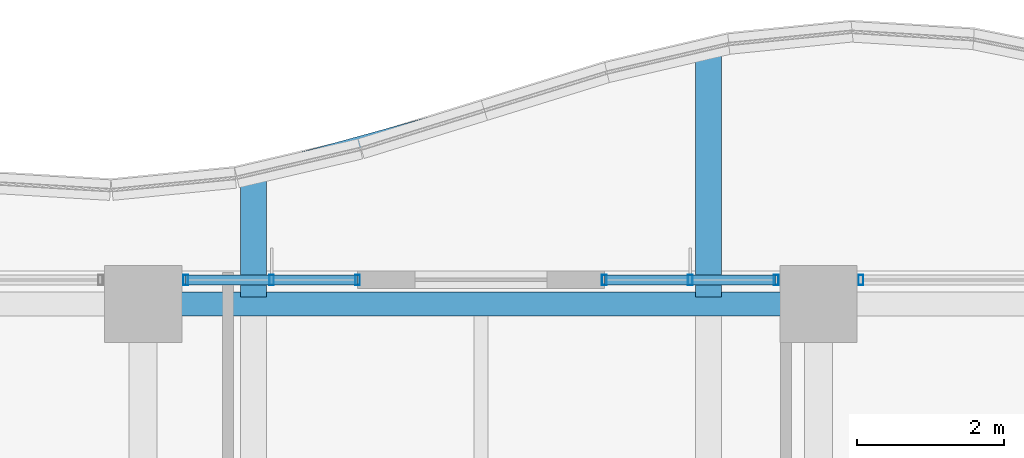
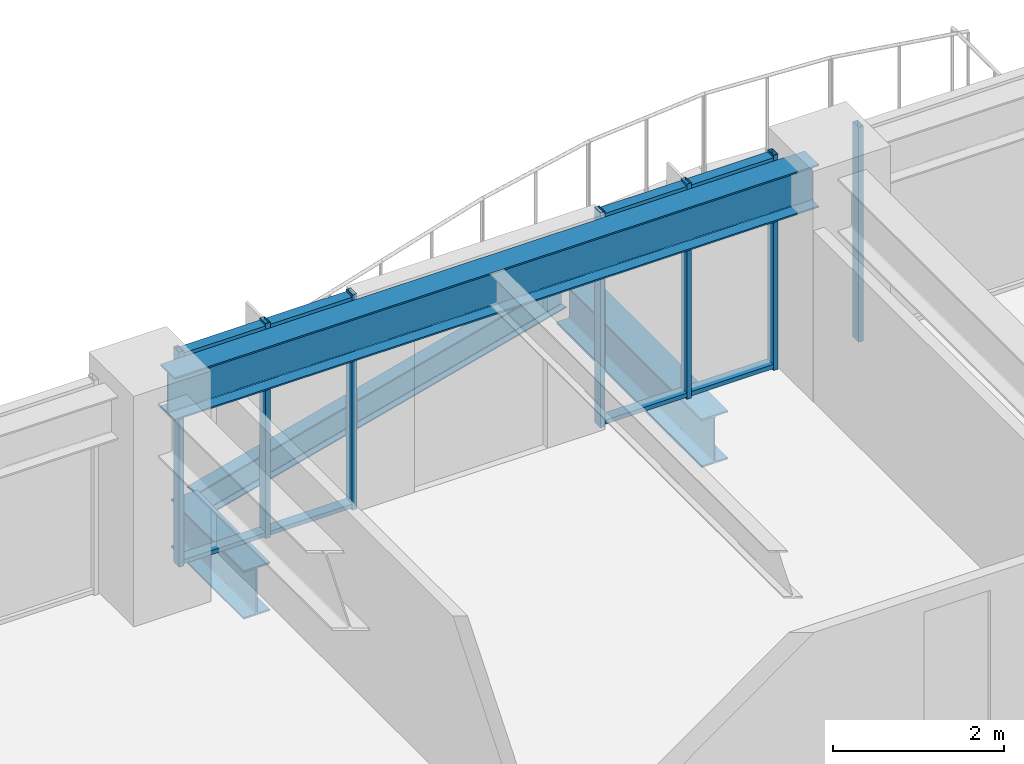
# One storey, part 21 of 38: 11 members, 4 beams, 3 elements without a shape of their own.
"""IFC4 building model written with IfcOpenShell, lengths in metres."""

from ifc_helpers import new_model, si_unit, direction, frame, origin, origin_2d, place, context, subcontext, project, spatial, hollow_rectangle, i_section, extrude, material, material_profile, profile_set, type_object, element, aggregate, save


model = new_model("IFC4")

# Units and contexts
model_context = context("Model", 3, precision=1e-05, world=origin(), true_north=direction((0.0, 1.0)))
body_context = subcontext(model_context, "Body", "Model", "MODEL_VIEW")
ifc_project = project(units=[si_unit("LENGTHUNIT", "METRE"), si_unit("AREAUNIT", "SQUARE_METRE"), si_unit("VOLUMEUNIT", "CUBIC_METRE"), si_unit("PLANEANGLEUNIT", "RADIAN"), si_unit("MASSUNIT", "GRAM", prefix="KILO")], contexts=[model_context])

# Site, building, storey
site_placement = place(None, origin())
site = spatial("IfcSite", under=ifc_project, at=site_placement, CompositionType="ELEMENT")
building_placement = place(site_placement, origin())
building = spatial("IfcBuilding", under=site, at=building_placement, Name="Kolvaren Belvedere", CompositionType="ELEMENT")
storey_placement = place(building_placement, frame((0.0, 0.0, 98.60009765625)))
storey = spatial("IfcBuildingStorey", under=building, at=storey_placement, Name="L28", CompositionType="ELEMENT", Elevation=98.60009765625)

# Beams
ifc_material_1 = material(Name="Structural steel ASTM A992 Grade 50", Category="steel")
ifc_material_profile_1 = material_profile(ifc_material_1, i_section(OverallWidth=0.35498046875, OverallDepth=0.696044921875, WebThickness=0.015380859375, FlangeThickness=0.02490234375, FilletRadius=0.02197265625, at=origin_2d()), Name="W27X146")
ifc_profile_set_1 = profile_set([ifc_material_profile_1], Name="Structural steel ASTM A992 Grade 50")
beam_type_1 = type_object("IfcBeamType", Name="BM-CANT-BAL", PredefinedType="BEAM", material=ifc_profile_set_1)
beam_1_placement = place(storey_placement, frame((-3.10009765625, 20.044921875, -0.568115234375), z_axis=(0.0, 1.0, 0.0), x_axis=(-1.0, 0.0, 0.0)))
element("IfcBeam", 1, at=beam_1_placement, inside=storey, type_object=beam_type_1, Name="L28 Planted Balcony Cantilever BAL-N-1", PredefinedType="BEAM", context=body_context, shape_type="SweptSolid", body=[
    extrude(i_section(OverallWidth=0.35498046875, OverallDepth=0.696044921875, WebThickness=0.015380859375, FlangeThickness=0.02490234375, FilletRadius=0.02197265625, at=origin_2d()), origin(), (0.0, 0.0, 1.0), 1.703857421875),
])
beam_2_placement = place(storey_placement, frame((3.10009765625, 20.044921875, -0.568115234375), z_axis=(0.0, 1.0, 0.0), x_axis=(-1.0, 0.0, 0.0)))
element("IfcBeam", 2, at=beam_2_placement, inside=storey, type_object=beam_type_1, Name="L28 Planted Balcony Cantilever BAL-N-2", PredefinedType="BEAM", context=body_context, shape_type="SweptSolid", body=[
    extrude(i_section(OverallWidth=0.35498046875, OverallDepth=0.696044921875, WebThickness=0.015380859375, FlangeThickness=0.02490234375, FilletRadius=0.02197265625, at=origin_2d()), origin(), (0.0, 0.0, 1.0), 3.406494140625),
])
ifc_material_2 = material(Name="Structural steel ASTM A992 Grade 50", Category="steel")
ifc_material_profile_2 = material_profile(ifc_material_2, i_section(OverallWidth=0.180908203125, OverallDepth=0.4169921875, WebThickness=0.010986328125, FlangeThickness=0.018310546875, FilletRadius=0.013916015625, at=origin_2d()), Name="W16X57")
ifc_profile_set_2 = profile_set([ifc_material_profile_2], Name="Structural steel ASTM A992 Grade 50")
beam_type_2 = type_object("IfcBeamType", Name="BM-EDGE-W16X57", PredefinedType="BEAM", material=ifc_profile_set_2)
beam_3_placement = place(storey_placement, frame((-2.965087890625, 21.785888671875, -0.4287109375), z_axis=(0.964304286407, 0.26479660726, 0.0), x_axis=(-0.26479660726, 0.964304286407, 0.0)))
element("IfcBeam", 3, at=beam_3_placement, inside=storey, type_object=beam_type_2, Name="L28 Balcony Tip Header Beam BAL-N", PredefinedType="BEAM", context=body_context, shape_type="SweptSolid", body=[
    extrude(i_section(OverallWidth=0.180908203125, OverallDepth=0.4169921875, WebThickness=0.010986328125, FlangeThickness=0.018310546875, FilletRadius=0.013916015625, at=origin_2d()), origin(), (0.0, 0.0, 1.0), 6.149658203125),
])
ifc_material_3 = material(Name="Structural steel ASTM A992 Grade 50", Category="steel")
ifc_material_profile_3 = material_profile(ifc_material_3, i_section(OverallWidth=0.324951171875, OverallDepth=0.615966796875, WebThickness=0.013916015625, FlangeThickness=0.021484375, FilletRadius=0.02001953125, at=origin_2d()), Name="W24X117")
ifc_profile_set_3 = profile_set([ifc_material_profile_3], Name="Structural steel ASTM A992 Grade 50")
beam_type_3 = type_object("IfcBeamType", Name="BM-SPAN-W24X117", PredefinedType="SPANDREL", material=ifc_profile_set_3)
beam_4_placement = place(storey_placement, frame((4.36376953125, 19.949951171875, 2.77197265625), z_axis=(-1.0, 0.0, 0.0), x_axis=(0.0, -1.0, 0.0)))
element("IfcBeam", 4, at=beam_4_placement, inside=storey, type_object=beam_type_3, Name="L28 Perimeter Spandrel N3-N2", PredefinedType="SPANDREL", context=body_context, shape_type="SweptSolid", body=[
    extrude(i_section(OverallWidth=0.324951171875, OverallDepth=0.615966796875, WebThickness=0.013916015625, FlangeThickness=0.021484375, FilletRadius=0.02001953125, at=origin_2d()), origin(), (0.0, 0.0, 1.0), 8.7275390625),
])

# Curtain wall, members
ifc_material_4 = material(Name="Anodised pale-metal aluminium AA 6063-T6", Category="aluminium")
curtain_wall_type = type_object("IfcCurtainWallType", Name="CW-Z2-MID", PredefinedType="NOTDEFINED", material=ifc_material_4)
curtain_wall_1_placement = place(storey_placement, origin())
curtain_wall_1 = element("IfcCurtainWall", 5, at=curtain_wall_1_placement, inside=storey, type_object=curtain_wall_type, Name="L28 Unitised Curtain Wall FCW-L28-N1-B2", PredefinedType="NOTDEFINED")
ifc_material_5 = material(Name="Anodised pale-metal aluminium AA 6063-T6", Category="aluminium")
ifc_material_profile_4 = material_profile(ifc_material_5, hollow_rectangle(XDim=0.06494140625, YDim=0.139892578125, WallThickness=0.00390625, at=origin_2d()), Name="ALU-MUL-140X65")
ifc_profile_set_4 = profile_set([ifc_material_profile_4], Name="Anodised pale-metal aluminium AA 6063-T6")
member_type_1 = type_object("IfcMemberType", Name="CW-MUL-140", PredefinedType="MULLION", material=ifc_profile_set_4)
member_1_placement = place(storey_placement, frame((-4.0224609375, 20.280029296875, 0.0), z_axis=(0.0, 0.0, 1.0), x_axis=(1.0, 0.0, 0.0)))
member_1 = element("IfcMember", 6, at=member_1_placement, type_object=member_type_1, Name="FCW-L28-N1-B2 Unitised Mullion 1", PredefinedType="MULLION", context=body_context, shape_type="SweptSolid", body=[
    extrude(hollow_rectangle(XDim=0.06494140625, YDim=0.139892578125, WallThickness=0.00390625, at=origin_2d()), origin(), (0.0, 0.0, 1.0), 3.079833984375),
])
member_2_placement = place(storey_placement, frame((-2.851318359375, 20.280029296875, 0.0), z_axis=(0.0, 0.0, 1.0), x_axis=(1.0, 0.0, 0.0)))
member_2 = element("IfcMember", 7, at=member_2_placement, type_object=member_type_1, Name="FCW-L28-N1-B2 Unitised Mullion 2", PredefinedType="MULLION", context=body_context, shape_type="SweptSolid", body=[
    extrude(hollow_rectangle(XDim=0.06494140625, YDim=0.139892578125, WallThickness=0.00390625, at=origin_2d()), origin(), (0.0, 0.0, 1.0), 3.079833984375),
])
member_3_placement = place(storey_placement, frame((-1.679931640625, 20.280029296875, 0.0), z_axis=(0.0, 0.0, 1.0), x_axis=(1.0, 0.0, 0.0)))
member_3 = element("IfcMember", 8, at=member_3_placement, type_object=member_type_1, Name="FCW-L28-N1-B2 Unitised Mullion 3", PredefinedType="MULLION", context=body_context, shape_type="SweptSolid", body=[
    extrude(hollow_rectangle(XDim=0.06494140625, YDim=0.139892578125, WallThickness=0.00390625, at=origin_2d()), origin(), (0.0, 0.0, 1.0), 3.079833984375),
])

curtain_wall_2_placement = place(storey_placement, origin())
curtain_wall_2 = element("IfcCurtainWall", 9, at=curtain_wall_2_placement, inside=storey, type_object=curtain_wall_type, Name="L28 Unitised Curtain Wall FCW-L28-N2-B1", PredefinedType="NOTDEFINED")
member_4_placement = place(storey_placement, frame((1.679931640625, 20.280029296875, 0.0), z_axis=(0.0, 0.0, 1.0), x_axis=(1.0, 0.0, 0.0)))
member_4 = element("IfcMember", 10, at=member_4_placement, type_object=member_type_1, Name="FCW-L28-N2-B1 Unitised Mullion 1", PredefinedType="MULLION", context=body_context, shape_type="SweptSolid", body=[
    extrude(hollow_rectangle(XDim=0.06494140625, YDim=0.139892578125, WallThickness=0.00390625, at=origin_2d()), origin(), (0.0, 0.0, 1.0), 3.079833984375),
])
member_5_placement = place(storey_placement, frame((2.851318359375, 20.280029296875, 0.0), z_axis=(0.0, 0.0, 1.0), x_axis=(1.0, 0.0, 0.0)))
member_5 = element("IfcMember", 11, at=member_5_placement, type_object=member_type_1, Name="FCW-L28-N2-B1 Unitised Mullion 2", PredefinedType="MULLION", context=body_context, shape_type="SweptSolid", body=[
    extrude(hollow_rectangle(XDim=0.06494140625, YDim=0.139892578125, WallThickness=0.00390625, at=origin_2d()), origin(), (0.0, 0.0, 1.0), 3.079833984375),
])
member_6_placement = place(storey_placement, frame((4.0224609375, 20.280029296875, 0.0), z_axis=(0.0, 0.0, 1.0), x_axis=(1.0, 0.0, 0.0)))
member_6 = element("IfcMember", 12, at=member_6_placement, type_object=member_type_1, Name="FCW-L28-N2-B1 Unitised Mullion 3", PredefinedType="MULLION", context=body_context, shape_type="SweptSolid", body=[
    extrude(hollow_rectangle(XDim=0.06494140625, YDim=0.139892578125, WallThickness=0.00390625, at=origin_2d()), origin(), (0.0, 0.0, 1.0), 3.079833984375),
])

# Curtain wall, member
curtain_wall_3_placement = place(storey_placement, origin())
curtain_wall_3 = element("IfcCurtainWall", 13, at=curtain_wall_3_placement, inside=storey, type_object=curtain_wall_type, Name="L28 Unitised Curtain Wall FCW-L28-N2-B2", PredefinedType="NOTDEFINED")
member_7_placement = place(storey_placement, frame((5.177490234375, 20.280029296875, 0.0), z_axis=(0.0, 0.0, 1.0), x_axis=(1.0, 0.0, 0.0)))
member_7 = element("IfcMember", 14, at=member_7_placement, type_object=member_type_1, Name="FCW-L28-N2-B2 Unitised Mullion 1", PredefinedType="MULLION", context=body_context, shape_type="SweptSolid", body=[
    extrude(hollow_rectangle(XDim=0.06494140625, YDim=0.139892578125, WallThickness=0.00390625, at=origin_2d()), origin(), (0.0, 0.0, 1.0), 3.079833984375),
])
aggregate(curtain_wall_3, [member_7])

# Member
ifc_material_6 = material(Name="Anodised pale-metal aluminium AA 6063-T6", Category="aluminium")
ifc_material_profile_5 = material_profile(ifc_material_6, hollow_rectangle(XDim=0.06005859375, YDim=0.139892578125, WallThickness=0.00390625, at=origin_2d()), Name="ALU-TRN-140X60")
ifc_profile_set_5 = profile_set([ifc_material_profile_5], Name="Anodised pale-metal aluminium AA 6063-T6")
member_type_2 = type_object("IfcMemberType", Name="CW-TRN-140", PredefinedType="USERDEFINED", material=ifc_profile_set_5)
member_8_placement = place(storey_placement, frame((-4.0224609375, 20.280029296875, 0.059814453125), z_axis=(1.0, 0.0, 0.0), x_axis=(0.0, 0.0, 1.0)))
member_8 = element("IfcMember", 15, at=member_8_placement, type_object=member_type_2, Name="FCW-L28-N1-B2 Sill Transom", ObjectType="TRANSOM", PredefinedType="USERDEFINED", context=body_context, shape_type="SweptSolid", body=[
    extrude(hollow_rectangle(XDim=0.06005859375, YDim=0.139892578125, WallThickness=0.00390625, at=origin_2d()), origin(), (0.0, 0.0, 1.0), 2.342529296875),
])

member_9_placement = place(storey_placement, frame((-4.0224609375, 20.280029296875, 3.02001953125), z_axis=(1.0, 0.0, 0.0), x_axis=(0.0, 0.0, 1.0)))
member_9 = element("IfcMember", 16, at=member_9_placement, type_object=member_type_2, Name="FCW-L28-N1-B2 Head Transom", ObjectType="TRANSOM", PredefinedType="USERDEFINED", context=body_context, shape_type="SweptSolid", body=[
    extrude(hollow_rectangle(XDim=0.06005859375, YDim=0.139892578125, WallThickness=0.00390625, at=origin_2d()), origin(), (0.0, 0.0, 1.0), 2.342529296875),
])

aggregate(curtain_wall_1, [member_1, member_2, member_3, member_8, member_9])

member_10_placement = place(storey_placement, frame((1.679931640625, 20.280029296875, 0.059814453125), z_axis=(1.0, 0.0, 0.0), x_axis=(0.0, 0.0, 1.0)))
member_10 = element("IfcMember", 17, at=member_10_placement, type_object=member_type_2, Name="FCW-L28-N2-B1 Sill Transom", ObjectType="TRANSOM", PredefinedType="USERDEFINED", context=body_context, shape_type="SweptSolid", body=[
    extrude(hollow_rectangle(XDim=0.06005859375, YDim=0.139892578125, WallThickness=0.00390625, at=origin_2d()), origin(), (0.0, 0.0, 1.0), 2.342529296875),
])

member_11_placement = place(storey_placement, frame((1.679931640625, 20.280029296875, 3.02001953125), z_axis=(1.0, 0.0, 0.0), x_axis=(0.0, 0.0, 1.0)))
member_11 = element("IfcMember", 18, at=member_11_placement, type_object=member_type_2, Name="FCW-L28-N2-B1 Head Transom", ObjectType="TRANSOM", PredefinedType="USERDEFINED", context=body_context, shape_type="SweptSolid", body=[
    extrude(hollow_rectangle(XDim=0.06005859375, YDim=0.139892578125, WallThickness=0.00390625, at=origin_2d()), origin(), (0.0, 0.0, 1.0), 2.342529296875),
])

aggregate(curtain_wall_2, [member_4, member_5, member_6, member_10, member_11])

save(model, "model.ifc")
